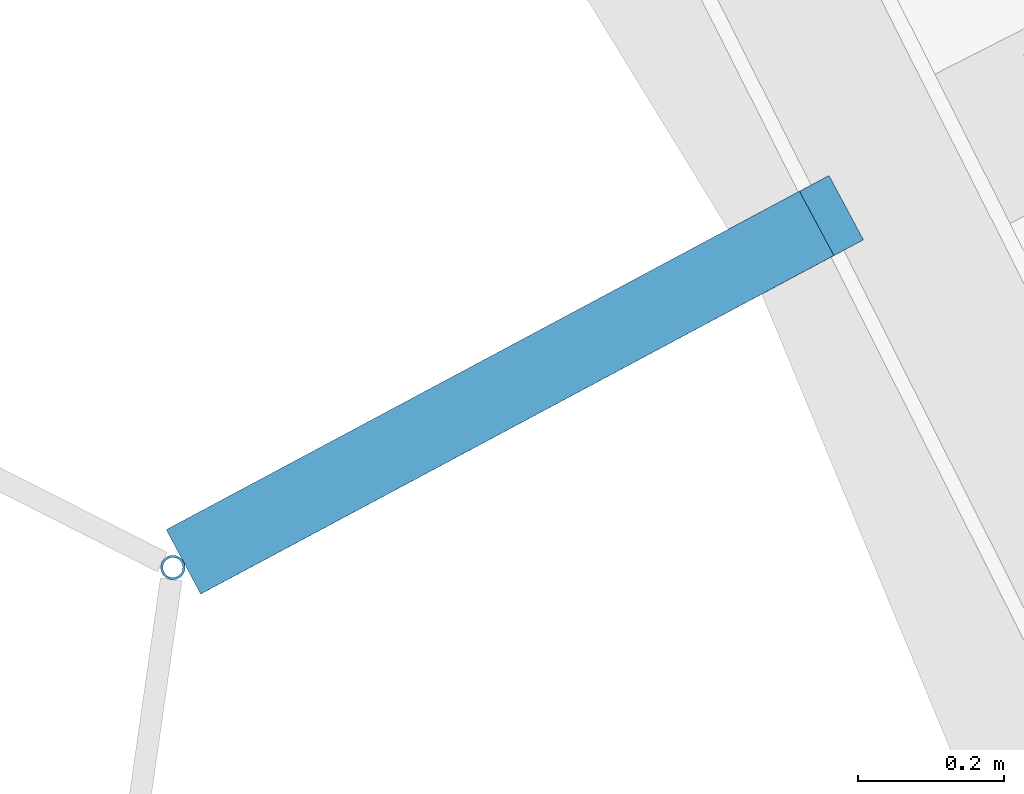
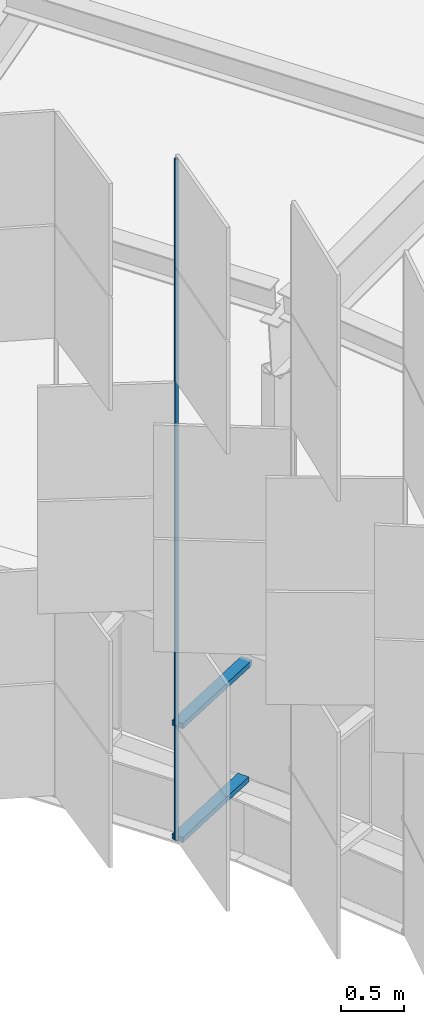
# One storey, part 213 of 483: 3 discrete accessories.
"""IFC4 building model written with IfcOpenShell, lengths in metres."""

import ifcopenshell
import ifcopenshell.guid

model = None  # the IFC model being written
_history = None  # IfcOwnerHistory: only IFC2X3 demands one
_inside = {}  # id of a spatial element -> (the spatial element, [elements in it])
_under = {}  # id of a project, library or spatial element -> (it, [spatial elements below it])
_declared = {}  # id of a project -> (the project, [libraries it declares])
_typed = {}  # id of a type object -> (the type object, [elements of that type])
_made_of = {}  # id of a material, layer set ... -> (it, [elements and type objects made of it])


def new_model(schema):
    """Start an empty IFC model of exactly this schema.

    Asked for "IFC4X3", IfcOpenShell would pick the latest addendum, in which some entities
    have other attributes; the version numbers below select the first issue.
    IFC2X3 requires an IfcOwnerHistory on every rooted entity: one is made here for all.
    """
    global model, _history
    if schema == "IFC4X3":
        model = ifcopenshell.file(schema_version=(4, 3, 0, 0))
    else:
        model = ifcopenshell.file(schema=schema)
    _inside.clear()
    _under.clear()
    _declared.clear()
    _typed.clear()
    _made_of.clear()
    _history = None
    if model.schema == "IFC2X3":
        org = make("IfcOrganization", Name="unknown")
        user = make(
            "IfcPersonAndOrganization",
            ThePerson=make("IfcPerson", FamilyName="unknown"),
            TheOrganization=org,
        )
        app = make(
            "IfcApplication",
            ApplicationDeveloper=org,
            Version="unknown",
            ApplicationFullName="unknown",
            ApplicationIdentifier="unknown",
        )
        _history = make(
            "IfcOwnerHistory",
            OwningUser=user,
            OwningApplication=app,
            ChangeAction="ADDED",
            CreationDate=0,
        )
    return model


def make(cls, **values):
    """One entity of the class cls with the attributes given. An attribute that is None is left unset."""
    return model.create_entity(
        cls, **{name: value for name, value in values.items() if value is not None}
    )


def rooted(cls, **values):
    """An entity with a GlobalId (a new one), such as an element, a storey or a relation."""
    return make(cls, GlobalId=ifcopenshell.guid.new(), OwnerHistory=_history, **values)


def si_unit(unit_type, name, prefix=None):
    """IfcSIUnit, for example si_unit("LENGTHUNIT", "METRE", prefix="MILLI")."""
    return make("IfcSIUnit", UnitType=unit_type, Prefix=prefix, Name=name)


def assignment(units):
    """IfcUnitAssignment: the units of a project."""
    return None if units is None else make("IfcUnitAssignment", Units=units)


def point(xyz):
    """IfcCartesianPoint."""
    return None if xyz is None else make("IfcCartesianPoint", Coordinates=xyz)


def direction(xyz):
    """IfcDirection."""
    return None if xyz is None else make("IfcDirection", DirectionRatios=xyz)


def frame(location, z_axis=None, x_axis=None):
    """IfcAxis2Placement3D, a coordinate frame: its origin and axes. An axis left out is left unset."""
    return make(
        "IfcAxis2Placement3D",
        Location=point(location),
        Axis=direction(z_axis),
        RefDirection=direction(x_axis),
    )


def frame_2d(location, x_axis=None):
    """IfcAxis2Placement2D, a coordinate frame in the plane: its origin and x axis."""
    return make(
        "IfcAxis2Placement2D", Location=point(location), RefDirection=direction(x_axis)
    )


def origin():
    """The frame at (0, 0, 0) with its axes left unset."""
    return frame((0.0, 0.0, 0.0))


def origin_2d():
    """The frame at (0, 0) in the plane with its x axis left unset."""
    return frame_2d((0.0, 0.0))


def place(relative_to, where):
    """IfcLocalPlacement: puts the frame where relative to a parent placement (None: the world)."""
    return make(
        "IfcLocalPlacement", PlacementRelTo=relative_to, RelativePlacement=where
    )


def context(
    kind, dimensions, precision=None, world=None, true_north=None, identifier=None
):
    """IfcGeometricRepresentationContext, for example the 3D "Model" context."""
    return make(
        "IfcGeometricRepresentationContext",
        ContextIdentifier=identifier,
        ContextType=kind,
        CoordinateSpaceDimension=dimensions,
        Precision=precision,
        WorldCoordinateSystem=world,
        TrueNorth=true_north,
    )


def subcontext(parent, identifier, kind, view, scale=None):
    """IfcGeometricRepresentationSubContext, for example "Body" below "Model"."""
    return make(
        "IfcGeometricRepresentationSubContext",
        ContextIdentifier=identifier,
        ContextType=kind,
        ParentContext=parent,
        TargetScale=scale,
        TargetView=view,
    )


def project(units=None, contexts=None):
    """IfcProject with its units and contexts."""
    return rooted(
        "IfcProject",
        Name="project",
        RepresentationContexts=contexts,
        UnitsInContext=assignment(units),
    )


def spatial(cls, under=None, at=None, **own):
    """A site, building, storey or space (cls), placed at a placement, below another one or the project."""
    s = rooted(cls, ObjectPlacement=at, **own)
    if under is not None:
        _under.setdefault(under.id(), (under, []))[1].append(s)
    return s


def profile(cls, at=None, kind="AREA", **sizes):
    """A parametric profile (cls). Its sizes go by their IFC names, for example OverallWidth=200.0."""
    return make(cls, ProfileType=kind, Position=at, **sizes)


def rectangle(**sizes):
    """IfcRectangleProfileDef."""
    return profile("IfcRectangleProfileDef", **sizes)


def hollow_circle(**sizes):
    """IfcCircleHollowProfileDef."""
    return profile("IfcCircleHollowProfileDef", **sizes)


def extrude(swept, where, along, depth):
    """IfcExtrudedAreaSolid: the profile swept, set in the frame where, extruded along a direction by depth."""
    return make(
        "IfcExtrudedAreaSolid",
        SweptArea=swept,
        Position=where,
        ExtrudedDirection=direction(along),
        Depth=depth,
    )


def shape(context_of_items, identifier, shape_type, items):
    """IfcShapeRepresentation: the items that make up one representation, for example the "Body"."""
    return make(
        "IfcShapeRepresentation",
        ContextOfItems=context_of_items,
        RepresentationIdentifier=identifier,
        RepresentationType=shape_type,
        Items=items,
    )


def material(Name=None, Category=None):
    """IfcMaterial."""
    return make("IfcMaterial", Name=Name, Category=Category)


def material_profile(
    of_material, cross_section, Name=None, Category=None, Priority=None
):
    """IfcMaterialProfile: a cross section and its material."""
    return make(
        "IfcMaterialProfile",
        Name=Name,
        Material=of_material,
        Profile=cross_section,
        Priority=Priority,
        Category=Category,
    )


def profile_set(profiles, Name=None, composite=None):
    """IfcMaterialProfileSet."""
    return make(
        "IfcMaterialProfileSet",
        Name=Name,
        MaterialProfiles=profiles,
        CompositeProfile=composite,
    )


def made_of(thing, what):
    """Note that an element or type object is made of a material, layer set ...; save() writes the relation."""
    if what is not None:
        _made_of.setdefault(what.id(), (what, []))[1].append(thing)
    return thing


def type_object(cls, material=None, **own):
    """A type object (cls), such as IfcWallType, which elements share."""
    return made_of(rooted(cls, **own), material)


def element(
    cls,
    number,
    at=None,
    inside=None,
    cuts=None,
    type_object=None,
    material=None,
    context=None,
    identifier="Body",
    shape_type=None,
    held_by="IfcProductDefinitionShape",
    body=None,
    shapes=None,
    **own,
):
    """One element of the class cls, such as IfcWall. Its Tag is "e" and its number.

    at: its placement. inside: the storey or other place that contains it. cuts: it is an
    opening in that element (IfcRelVoidsElement). A single representation is given by context,
    identifier, shape_type and body (its items); several are given by shapes. held_by: the class
    of the entity that holds the representations. save() writes the other relations.
    """
    e = rooted(cls, Tag="e%d" % number, ObjectPlacement=at, **own)
    if body is not None:
        shapes = [shape(context, identifier, shape_type, body)]
    if shapes is not None:
        e.Representation = make(held_by, Representations=shapes)
    if inside is not None:
        _inside.setdefault(inside.id(), (inside, []))[1].append(e)
    if cuts is not None:
        rooted(
            "IfcRelVoidsElement", RelatingBuildingElement=cuts, RelatedOpeningElement=e
        )
    if type_object is not None:
        _typed.setdefault(type_object.id(), (type_object, []))[1].append(e)
    return made_of(e, material)


def aggregate(whole, parts):
    """IfcRelAggregates: a whole, such as a stair, and the parts it consists of."""
    return rooted("IfcRelAggregates", RelatingObject=whole, RelatedObjects=parts)


def save(model, path):
    """Write the relations noted so far, then the file.

    IfcRelAggregates (storeys below a building ...), IfcRelContainedInSpatialStructure (elements
    in a storey), IfcRelDefinesByType, IfcRelAssociatesMaterial and IfcRelDeclares: one each for
    every whole, place, type object, material and project.
    """
    for whole, parts in _under.values():
        aggregate(whole, parts)
    for where, things in _inside.values():
        rooted(
            "IfcRelContainedInSpatialStructure",
            RelatedElements=things,
            RelatingStructure=where,
        )
    for kind, things in _typed.values():
        rooted("IfcRelDefinesByType", RelatedObjects=things, RelatingType=kind)
    for what, things in _made_of.values():
        rooted("IfcRelAssociatesMaterial", RelatedObjects=things, RelatingMaterial=what)
    for by, libraries in _declared.values():
        rooted("IfcRelDeclares", RelatingContext=by, RelatedDefinitions=libraries)
    model.write(path)


model = new_model("IFC4")

# Units and contexts
model_context = context("Model", 3, precision=1e-05, world=origin(), true_north=direction((0.0, 1.0)))
body_context = subcontext(model_context, "Body", "Model", "MODEL_VIEW")
ifc_project = project(units=[si_unit("LENGTHUNIT", "METRE"), si_unit("AREAUNIT", "SQUARE_METRE"), si_unit("VOLUMEUNIT", "CUBIC_METRE"), si_unit("PLANEANGLEUNIT", "RADIAN"), si_unit("MASSUNIT", "GRAM", prefix="KILO")], contexts=[model_context])

# Site, building, storey
site_placement = place(None, origin())
site = spatial("IfcSite", under=ifc_project, at=site_placement, CompositionType="ELEMENT")
building_placement = place(site_placement, origin())
building = spatial("IfcBuilding", under=site, at=building_placement, Name="Parallax Yard Mobility Hub", CompositionType="ELEMENT")
storey_placement = place(building_placement, frame((0.0, 0.0, 13.199951171875)))
storey = spatial("IfcBuildingStorey", under=building, at=storey_placement, Name="L04", CompositionType="ELEMENT", Elevation=13.199951171875)

# Discrete accessories
ifc_material_1 = material(Name="Steel ASTM A36, hot-dip galvanised", Category="steel")
discrete_accessory_type_1 = type_object("IfcDiscreteAccessoryType", Name="Hinge bracket plate 100x50", PredefinedType="BRACKET", material=ifc_material_1)
discrete_accessory_1_placement = place(storey_placement, frame((192.1044921875, 99.98486328125, -0.02490234375), z_axis=(0.0, 0.0, 1.0), x_axis=(-0.881921264348, -0.471396736826, 0.0)))
element("IfcDiscreteAccessory", 1, at=discrete_accessory_1_placement, inside=storey, type_object=discrete_accessory_type_1, Name="Hinge bracket plate bay 21.4 level L04", PredefinedType="BRACKET", context=body_context, shape_type="SweptSolid", body=[
    extrude(rectangle(XDim=0.984130859375, YDim=0.10009765625, at=origin_2d()), origin(), (0.0, 0.0, 1.0), 0.050048828125),
])
discrete_accessory_2_placement = place(storey_placement, frame((192.124755859375, 99.99560546875, 1.06982421875), z_axis=(0.0, 0.0, 1.0), x_axis=(-0.881921264348, -0.471396736826, 0.0)))
element("IfcDiscreteAccessory", 2, at=discrete_accessory_2_placement, inside=storey, type_object=discrete_accessory_type_1, Name="Hinge bracket plate bay 21.4 level L04", PredefinedType="BRACKET", context=body_context, shape_type="SweptSolid", body=[
    extrude(rectangle(XDim=1.030029296875, YDim=0.10009765625, at=origin_2d()), origin(), (0.0, 0.0, 1.0), 0.050048828125),
])
ifc_material_2 = material(Name="Steel ASTM A500 Gr C, hot-dip galvanised", Category="steel")
ifc_material_profile = material_profile(ifc_material_2, hollow_circle(Radius=0.016845703125, WallThickness=0.003173828125, at=origin_2d()), Name="CHS 33.7x3.2")
ifc_profile_set = profile_set([ifc_material_profile], Name="Steel ASTM A500 Gr C, hot-dip galvanised")
discrete_accessory_type_2 = type_object("IfcDiscreteAccessoryType", Name="Hinge post CHS 33.7x3.2", PredefinedType="BRACKET", material=ifc_profile_set)
discrete_accessory_3_placement = place(storey_placement, frame((191.656005859375, 99.7451171875, 0.0), z_axis=(0.0, 0.0, 1.0), x_axis=(1.0, 0.0, 0.0)))
element("IfcDiscreteAccessory", 3, at=discrete_accessory_3_placement, inside=storey, type_object=discrete_accessory_type_2, Name="Hinge post bay 21.4 level L04", PredefinedType="BRACKET", context=body_context, shape_type="SweptSolid", body=[
    extrude(hollow_circle(Radius=0.016845703125, WallThickness=0.003173828125, at=origin_2d()), origin(), (0.0, 0.0, 1.0), 6.550048828125),
])

save(model, "model.ifc")
